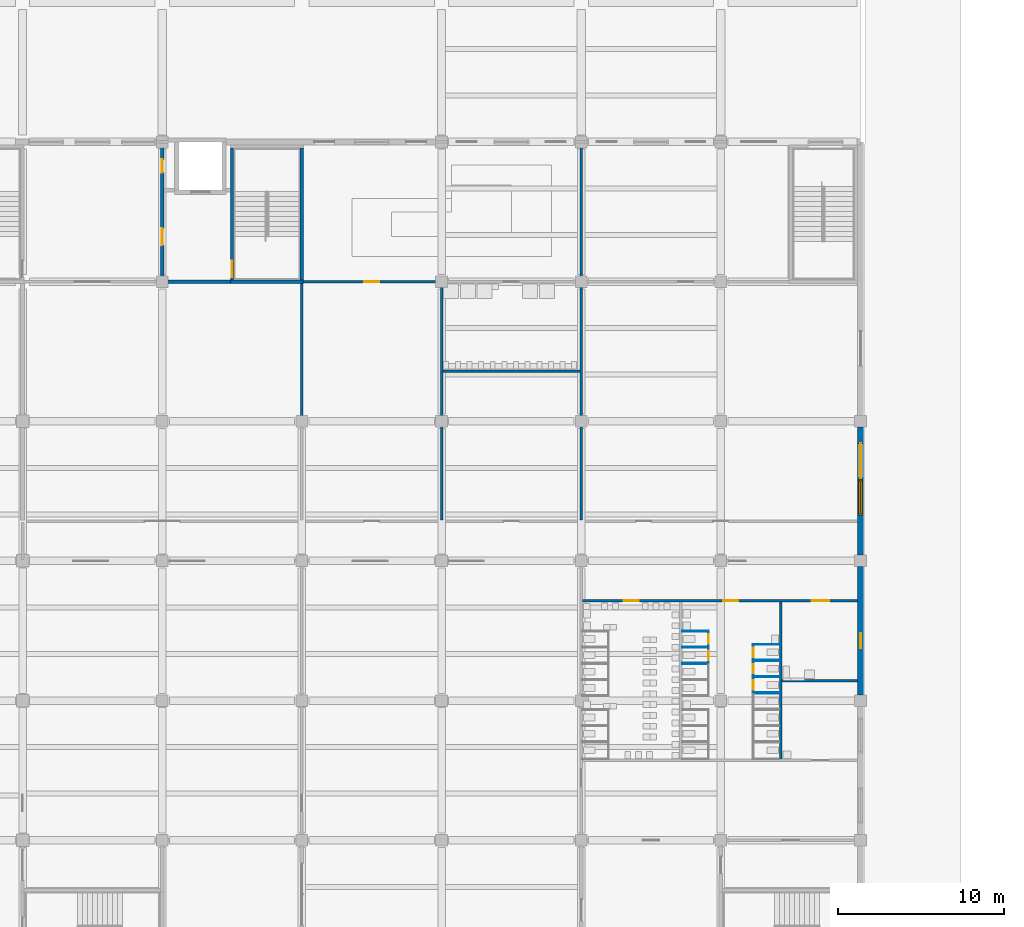
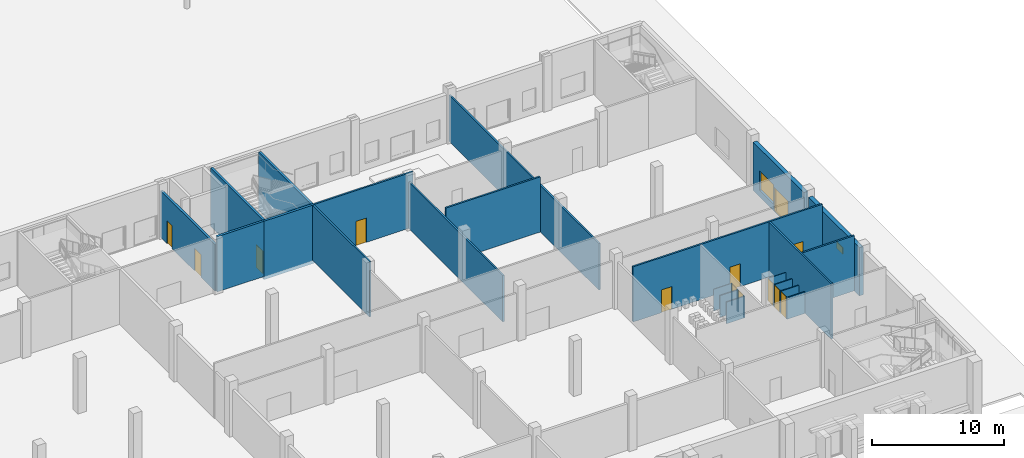
# One storey, part 36 of 74: 32 walls, 13 doors, 2 windows, 15 openings.
"""IFC4 building model written with IfcOpenShell, lengths in metres."""

from ifc_helpers import new_model, si_unit, direction, frame, frame_2d, origin, place, context, subcontext, project, spatial, rectangle, extrude, material, layer, layer_set, type_object, element, fill, save


model = new_model("IFC4")

# Units and contexts
model_context = context("Model", 3, precision=1e-05, world=origin(), true_north=direction((0.0, 1.0)))
body_context = subcontext(model_context, "Body", "Model", "MODEL_VIEW")
ifc_project = project(units=[si_unit("LENGTHUNIT", "METRE"), si_unit("AREAUNIT", "SQUARE_METRE"), si_unit("VOLUMEUNIT", "CUBIC_METRE"), si_unit("PLANEANGLEUNIT", "RADIAN"), si_unit("MASSUNIT", "GRAM", prefix="KILO")], contexts=[model_context])

# Site, building, storey
site_placement = place(None, origin())
site = spatial("IfcSite", under=ifc_project, at=site_placement, CompositionType="ELEMENT")
building_placement = place(site_placement, origin())
building = spatial("IfcBuilding", under=site, at=building_placement, Name="Rulbaag Community and Learning Centre", CompositionType="ELEMENT")
storey_placement = place(building_placement, origin())
storey = spatial("IfcBuildingStorey", under=building, at=storey_placement, Name="L00", CompositionType="ELEMENT", Elevation=0.0)

# Walls
ifc_material_1 = material(Name="High pressure laminate", Category="wood")
ifc_layer_1 = layer(ifc_material_1, 0.0400390625)
ifc_layer_set_1 = layer_set([ifc_layer_1], Name="CP-40")
wall_type_1 = type_object("IfcWallType", Name="CP-40", PredefinedType="PARTITIONING", material=ifc_layer_set_1)
for number, where, z_axis, x_axis, name in (
    (1, (157.27490234375, 19.010009765625, 0.0), (0.0, 0.0, 1.0), (1.0, 0.0, 0.0), "Cubicle partition"),
    (2, (157.27490234375, 19.050048828125, 0.0), (0.0, 0.0, 1.0), (1.0, 0.0, 0.0), "Cubicle partition"),
    (3, (157.27490234375, 19.989990234375, 0.0), (0.0, 0.0, 1.0), (1.0, 0.0, 0.0), "Cubicle partition"),
):
    element("IfcWall", number, at=place(storey_placement, frame(where, z_axis=z_axis, x_axis=x_axis)), inside=storey, type_object=wall_type_1, Name=name, PredefinedType="PARTITIONING", context=body_context, shape_type="SweptSolid", body=[
        extrude(rectangle(XDim=1.59521484375, YDim=0.0400390625, at=frame_2d((0.797607421875, 0.0))), origin(), (0.0, 0.0, 1.0), 2.0),
    ])

# Wall, opening, door
wall_1_placement = place(storey_placement, frame((158.85009765625, 19.070068359375, 0.0), z_axis=(0.0, 0.0, 1.0), x_axis=(0.0, 1.0, 0.0)))
wall_1 = element("IfcWall", 4, at=wall_1_placement, inside=storey, type_object=wall_type_1, Name="Cubicle partition", PredefinedType="PARTITIONING", context=body_context, shape_type="SweptSolid", body=[
    extrude(rectangle(XDim=0.89990234375, YDim=0.0400390625, at=frame_2d((0.449951171875, 0.0))), origin(), (0.0, 0.0, 1.0), 2.0),
])
opening_1_placement = place(wall_1_placement, frame((0.050048828125, 0.0, 0.0)))
opening_1 = element("IfcOpeningElement", 5, at=opening_1_placement, cuts=wall_1, Name="Opening L00-D168", PredefinedType="OPENING", context=body_context, shape_type="SweptSolid", body=[
    extrude(rectangle(XDim=0.800048828125, YDim=2.0, at=frame_2d((0.39990234375, 1.0))), frame((0.0, 0.030029296875, 0.0), z_axis=(0.0, -1.0, 0.0), x_axis=(1.0, 0.0, 0.0)), (0.0, 0.0, 1.0), 0.06005859375),
])
door_type_1 = type_object("IfcDoorType", Name="DC-80", OperationType="SINGLE_SWING_LEFT", PredefinedType="DOOR", material=ifc_material_1)
door_1_placement = place(opening_1_placement, origin())
door_1 = element("IfcDoor", 6, at=door_1_placement, inside=storey, type_object=door_type_1, Name="Cubicle door", OperationType="SINGLE_SWING_LEFT", OverallHeight=2.0, OverallWidth=0.800048828125, PredefinedType="DOOR", context=body_context, shape_type="SweptSolid", body=[
    extrude(rectangle(XDim=0.800048828125, YDim=2.0, at=frame_2d((0.39990234375, 1.0))), frame((0.0, 0.019775390625, 0.0), z_axis=(0.0, -1.0, 0.0), x_axis=(1.0, 0.0, 0.0)), (0.0, 0.0, 1.0), 0.03955078125),
])
fill(opening_1, door_1)

# Walls
for number, where, z_axis, x_axis, name in (
    (7, (157.27490234375, 20.030029296875, 0.0), (0.0, 0.0, 1.0), (1.0, 0.0, 0.0), "Cubicle partition"),
    (8, (157.27490234375, 20.969970703125, 0.0), (0.0, 0.0, 1.0), (1.0, 0.0, 0.0), "Cubicle partition"),
):
    element("IfcWall", number, at=place(storey_placement, frame(where, z_axis=z_axis, x_axis=x_axis)), inside=storey, type_object=wall_type_1, Name=name, PredefinedType="PARTITIONING", context=body_context, shape_type="SweptSolid", body=[
        extrude(rectangle(XDim=1.59521484375, YDim=0.0400390625, at=frame_2d((0.797607421875, 0.0))), origin(), (0.0, 0.0, 1.0), 2.0),
    ])

# Wall, opening, door
wall_2_placement = place(storey_placement, frame((158.85009765625, 20.050048828125, 0.0), z_axis=(0.0, 0.0, 1.0), x_axis=(0.0, 1.0, 0.0)))
wall_2 = element("IfcWall", 9, at=wall_2_placement, inside=storey, type_object=wall_type_1, Name="Cubicle partition", PredefinedType="PARTITIONING", context=body_context, shape_type="SweptSolid", body=[
    extrude(rectangle(XDim=0.89990234375, YDim=0.0400390625, at=frame_2d((0.449951171875, 0.0))), origin(), (0.0, 0.0, 1.0), 2.0),
])
opening_2_placement = place(wall_2_placement, frame((0.050048828125, 0.0, 0.0)))
opening_2 = element("IfcOpeningElement", 10, at=opening_2_placement, cuts=wall_2, Name="Opening L00-D169", PredefinedType="OPENING", context=body_context, shape_type="SweptSolid", body=[
    extrude(rectangle(XDim=0.800048828125, YDim=2.0, at=frame_2d((0.39990234375, 1.0))), frame((0.0, 0.030029296875, 0.0), z_axis=(0.0, -1.0, 0.0), x_axis=(1.0, 0.0, 0.0)), (0.0, 0.0, 1.0), 0.06005859375),
])
door_2_placement = place(opening_2_placement, origin())
door_2 = element("IfcDoor", 11, at=door_2_placement, inside=storey, type_object=door_type_1, Name="Cubicle door", OperationType="SINGLE_SWING_LEFT", OverallHeight=2.0, OverallWidth=0.800048828125, PredefinedType="DOOR", context=body_context, shape_type="SweptSolid", body=[
    extrude(rectangle(XDim=0.800048828125, YDim=2.0, at=frame_2d((0.39990234375, 1.0))), frame((0.0, 0.019775390625, 0.0), z_axis=(0.0, -1.0, 0.0), x_axis=(1.0, 0.0, 0.0)), (0.0, 0.0, 1.0), 0.03955078125),
])
fill(opening_2, door_2)

# Walls
for number, where, z_axis, x_axis, name in (
    (12, (163.125, 17.22998046875, 0.0), (0.0, 0.0, 1.0), (-1.0, 0.0, 0.0), "Cubicle partition"),
    (13, (163.125, 17.27001953125, 0.0), (0.0, 0.0, 1.0), (-1.0, 0.0, 0.0), "Cubicle partition"),
    (14, (163.125, 18.2099609375, 0.0), (0.0, 0.0, 1.0), (-1.0, 0.0, 0.0), "Cubicle partition"),
):
    element("IfcWall", number, at=place(storey_placement, frame(where, z_axis=z_axis, x_axis=x_axis)), inside=storey, type_object=wall_type_1, Name=name, PredefinedType="PARTITIONING", context=body_context, shape_type="SweptSolid", body=[
        extrude(rectangle(XDim=1.594970703125, YDim=0.0400390625, at=frame_2d((0.79736328125, 0.0))), origin(), (0.0, 0.0, 1.0), 2.0),
    ])

# Wall, opening, door
wall_3_placement = place(storey_placement, frame((161.550048828125, 17.2900390625, 0.0), z_axis=(0.0, 0.0, 1.0), x_axis=(0.0, 1.0, 0.0)))
wall_3 = element("IfcWall", 15, at=wall_3_placement, inside=storey, type_object=wall_type_1, Name="Cubicle partition", PredefinedType="PARTITIONING", context=body_context, shape_type="SweptSolid", body=[
    extrude(rectangle(XDim=0.89990234375, YDim=0.0400390625, at=frame_2d((0.449951171875, 0.0))), origin(), (0.0, 0.0, 1.0), 2.0),
])
opening_3_placement = place(wall_3_placement, frame((0.050048828125, 0.0, 0.0)))
opening_3 = element("IfcOpeningElement", 16, at=opening_3_placement, cuts=wall_3, Name="Opening L00-D183", PredefinedType="OPENING", context=body_context, shape_type="SweptSolid", body=[
    extrude(rectangle(XDim=0.800048828125, YDim=2.0, at=frame_2d((0.39990234375, 1.0))), frame((0.0, 0.030029296875, 0.0), z_axis=(0.0, -1.0, 0.0), x_axis=(1.0, 0.0, 0.0)), (0.0, 0.0, 1.0), 0.06005859375),
])
door_3_placement = place(opening_3_placement, origin())
door_3 = element("IfcDoor", 17, at=door_3_placement, inside=storey, type_object=door_type_1, Name="Cubicle door", OperationType="SINGLE_SWING_LEFT", OverallHeight=2.0, OverallWidth=0.800048828125, PredefinedType="DOOR", context=body_context, shape_type="SweptSolid", body=[
    extrude(rectangle(XDim=0.800048828125, YDim=2.0, at=frame_2d((0.39990234375, 1.0))), frame((0.0, 0.019775390625, 0.0), z_axis=(0.0, -1.0, 0.0), x_axis=(1.0, 0.0, 0.0)), (0.0, 0.0, 1.0), 0.03955078125),
])
fill(opening_3, door_3)

# Walls
for number, where, z_axis, x_axis, name in (
    (18, (163.125, 18.25, 0.0), (0.0, 0.0, 1.0), (-1.0, 0.0, 0.0), "Cubicle partition"),
    (19, (163.125, 19.18994140625, 0.0), (0.0, 0.0, 1.0), (-1.0, 0.0, 0.0), "Cubicle partition"),
):
    element("IfcWall", number, at=place(storey_placement, frame(where, z_axis=z_axis, x_axis=x_axis)), inside=storey, type_object=wall_type_1, Name=name, PredefinedType="PARTITIONING", context=body_context, shape_type="SweptSolid", body=[
        extrude(rectangle(XDim=1.594970703125, YDim=0.0400390625, at=frame_2d((0.79736328125, 0.0))), origin(), (0.0, 0.0, 1.0), 2.0),
    ])

# Wall, opening, door
wall_4_placement = place(storey_placement, frame((161.550048828125, 18.27001953125, 0.0), z_axis=(0.0, 0.0, 1.0), x_axis=(0.0, 1.0, 0.0)))
wall_4 = element("IfcWall", 20, at=wall_4_placement, inside=storey, type_object=wall_type_1, Name="Cubicle partition", PredefinedType="PARTITIONING", context=body_context, shape_type="SweptSolid", body=[
    extrude(rectangle(XDim=0.89990234375, YDim=0.0400390625, at=frame_2d((0.449951171875, 0.0))), origin(), (0.0, 0.0, 1.0), 2.0),
])
opening_4_placement = place(wall_4_placement, frame((0.050048828125, 0.0, 0.0)))
opening_4 = element("IfcOpeningElement", 21, at=opening_4_placement, cuts=wall_4, Name="Opening L00-D184", PredefinedType="OPENING", context=body_context, shape_type="SweptSolid", body=[
    extrude(rectangle(XDim=0.800048828125, YDim=2.0, at=frame_2d((0.39990234375, 1.0))), frame((0.0, 0.030029296875, 0.0), z_axis=(0.0, -1.0, 0.0), x_axis=(1.0, 0.0, 0.0)), (0.0, 0.0, 1.0), 0.06005859375),
])
door_4_placement = place(opening_4_placement, origin())
door_4 = element("IfcDoor", 22, at=door_4_placement, inside=storey, type_object=door_type_1, Name="Cubicle door", OperationType="SINGLE_SWING_LEFT", OverallHeight=2.0, OverallWidth=0.800048828125, PredefinedType="DOOR", context=body_context, shape_type="SweptSolid", body=[
    extrude(rectangle(XDim=0.800048828125, YDim=2.0, at=frame_2d((0.39990234375, 1.0))), frame((0.0, 0.019775390625, 0.0), z_axis=(0.0, -1.0, 0.0), x_axis=(1.0, 0.0, 0.0)), (0.0, 0.0, 1.0), 0.03955078125),
])
fill(opening_4, door_4)

# Walls
for number, where, z_axis, x_axis, name in (
    (23, (163.125, 19.22998046875, 0.0), (0.0, 0.0, 1.0), (-1.0, 0.0, 0.0), "Cubicle partition"),
    (24, (163.125, 20.169921875, 0.0), (0.0, 0.0, 1.0), (-1.0, 0.0, 0.0), "Cubicle partition"),
):
    element("IfcWall", number, at=place(storey_placement, frame(where, z_axis=z_axis, x_axis=x_axis)), inside=storey, type_object=wall_type_1, Name=name, PredefinedType="PARTITIONING", context=body_context, shape_type="SweptSolid", body=[
        extrude(rectangle(XDim=1.594970703125, YDim=0.0400390625, at=frame_2d((0.79736328125, 0.0))), origin(), (0.0, 0.0, 1.0), 2.0),
    ])

# Wall, opening, door
wall_5_placement = place(storey_placement, frame((161.550048828125, 19.25, 0.0), z_axis=(0.0, 0.0, 1.0), x_axis=(0.0, 1.0, 0.0)))
wall_5 = element("IfcWall", 25, at=wall_5_placement, inside=storey, type_object=wall_type_1, Name="Cubicle partition", PredefinedType="PARTITIONING", context=body_context, shape_type="SweptSolid", body=[
    extrude(rectangle(XDim=0.89990234375, YDim=0.0400390625, at=frame_2d((0.449951171875, 0.0))), origin(), (0.0, 0.0, 1.0), 2.0),
])
opening_5_placement = place(wall_5_placement, frame((0.050048828125, 0.0, 0.0)))
opening_5 = element("IfcOpeningElement", 26, at=opening_5_placement, cuts=wall_5, Name="Opening L00-D185", PredefinedType="OPENING", context=body_context, shape_type="SweptSolid", body=[
    extrude(rectangle(XDim=0.800048828125, YDim=2.0, at=frame_2d((0.39990234375, 1.0))), frame((0.0, 0.030029296875, 0.0), z_axis=(0.0, -1.0, 0.0), x_axis=(1.0, 0.0, 0.0)), (0.0, 0.0, 1.0), 0.06005859375),
])
door_5_placement = place(opening_5_placement, origin())
door_5 = element("IfcDoor", 27, at=door_5_placement, inside=storey, type_object=door_type_1, Name="Cubicle door", OperationType="SINGLE_SWING_LEFT", OverallHeight=2.0, OverallWidth=0.800048828125, PredefinedType="DOOR", context=body_context, shape_type="SweptSolid", body=[
    extrude(rectangle(XDim=0.800048828125, YDim=2.0, at=frame_2d((0.39990234375, 1.0))), frame((0.0, 0.019775390625, 0.0), z_axis=(0.0, -1.0, 0.0), x_axis=(1.0, 0.0, 0.0)), (0.0, 0.0, 1.0), 0.03955078125),
])
fill(opening_5, door_5)

# Wall, opening, window
ifc_material_2 = material(Name="Concrete M40", Category="concrete")
ifc_layer_2 = layer(ifc_material_2, 0.35009765625)
ifc_layer_set_2 = layer_set([ifc_layer_2], Name="EW-CONC350")
wall_type_2 = type_object("IfcWallType", Name="EW-CONC350", PredefinedType="STANDARD", material=ifc_layer_set_2)
wall_6_placement = place(storey_placement, frame((168.0, 17.14990234375, 0.0), z_axis=(0.0, 0.0, 1.0), x_axis=(0.0, 1.0, 0.0)))
wall_6 = element("IfcWall", 28, at=wall_6_placement, inside=storey, type_object=wall_type_2, Name="Board-marked concrete cladding wall AE", PredefinedType="STANDARD", context=body_context, shape_type="SweptSolid", body=[
    extrude(rectangle(XDim=7.7001953125, YDim=0.35009765625, at=frame_2d((3.85009765625, 0.0))), origin(), (0.0, 0.0, 1.0), 4.449951171875),
])
opening_6_placement = place(wall_6_placement, frame((2.800048828125, 0.0, 2.10009765625)))
opening_6 = element("IfcOpeningElement", 29, at=opening_6_placement, cuts=wall_6, Name="Opening WN5", PredefinedType="OPENING", context=body_context, shape_type="SweptSolid", body=[
    extrude(rectangle(XDim=0.89990234375, YDim=0.60009765625, at=frame_2d((0.449951171875, 0.300048828125))), frame((0.0, 0.18505859375, 0.0), z_axis=(0.0, -1.0, 0.0), x_axis=(1.0, 0.0, 0.0)), (0.0, 0.0, 1.0), 0.3701171875),
])
ifc_material_3 = material(Name="Aluminium", Category="aluminium")
window_type_1 = type_object("IfcWindowType", Name="WK-09", PartitioningType="SINGLE_PANEL", PredefinedType="WINDOW", material=ifc_material_3)
window_1_placement = place(opening_6_placement, origin())
window_1 = element("IfcWindow", 30, at=window_1_placement, inside=storey, type_object=window_type_1, Name="Window WN5", OverallHeight=0.60009765625, OverallWidth=0.89990234375, PartitioningType="SINGLE_PANEL", PredefinedType="WINDOW", context=body_context, shape_type="SweptSolid", body=[
    extrude(rectangle(XDim=0.89990234375, YDim=0.60009765625, at=frame_2d((0.449951171875, 0.300048828125))), frame((0.0, 0.030029296875, 0.0), z_axis=(0.0, -1.0, 0.0), x_axis=(1.0, 0.0, 0.0)), (0.0, 0.0, 1.0), 0.06005859375),
])
fill(opening_6, window_1)

# Wall, openings, door, window
wall_7_placement = place(storey_placement, frame((168.0, 25.550048828125, 0.0), z_axis=(0.0, 0.0, 1.0), x_axis=(0.0, 1.0, 0.0)))
wall_7 = element("IfcWall", 31, at=wall_7_placement, inside=storey, type_object=wall_type_2, Name="Board-marked concrete cladding wall AE", PredefinedType="STANDARD", context=body_context, shape_type="SweptSolid", body=[
    extrude(rectangle(XDim=7.699951171875, YDim=0.35009765625, at=frame_2d((3.85009765625, 0.0))), origin(), (0.0, 0.0, 1.0), 4.449951171875),
])
opening_7_placement = place(wall_7_placement, frame((4.525146484375, 0.0, 0.0), z_axis=(0.0, 0.0, 1.0), x_axis=(-1.0, 0.0, 0.0)))
opening_7 = element("IfcOpeningElement", 32, at=opening_7_placement, cuts=wall_7, Name="Opening L00-D205", PredefinedType="OPENING", context=body_context, shape_type="SweptSolid", body=[
    extrude(rectangle(XDim=2.10009765625, YDim=2.199951171875, at=frame_2d((1.050048828125, 1.10009765625))), frame((0.0, 0.18505859375, 0.0), z_axis=(0.0, -1.0, 0.0), x_axis=(1.0, 0.0, 0.0)), (0.0, 0.0, 1.0), 0.3701171875),
])
opening_8_placement = place(wall_7_placement, frame((4.625, 0.0, 0.60009765625)))
opening_8 = element("IfcOpeningElement", 33, at=opening_8_placement, cuts=wall_7, Name="Opening WN10", PredefinedType="OPENING", context=body_context, shape_type="SweptSolid", body=[
    extrude(rectangle(XDim=2.10009765625, YDim=1.800048828125, at=frame_2d((1.050048828125, 0.89990234375))), frame((0.0, 0.18505859375, 0.0), z_axis=(0.0, -1.0, 0.0), x_axis=(1.0, 0.0, 0.0)), (0.0, 0.0, 1.0), 0.3701171875),
])
door_type_2 = type_object("IfcDoorType", Name="DG-21", OperationType="DOUBLE_DOOR_SINGLE_SWING", PredefinedType="DOOR", material=ifc_material_3)
door_6_placement = place(opening_7_placement, origin())
door_6 = element("IfcDoor", 34, at=door_6_placement, inside=storey, type_object=door_type_2, Name="Final exit G16", OperationType="SINGLE_SWING_LEFT", OverallHeight=2.199951171875, OverallWidth=2.10009765625, PredefinedType="DOOR", context=body_context, shape_type="SweptSolid", body=[
    extrude(rectangle(XDim=2.10009765625, YDim=0.012939453125, at=frame_2d((1.050048828125, 0.006591796875))), frame((0.0, 0.114990234375, 0.0), z_axis=(0.0, -1.0, 0.0), x_axis=(1.0, 0.0, 0.0)), (0.0, 0.0, 1.0), 0.22998046875),
    extrude(rectangle(XDim=0.074951171875, YDim=2.112060546875, at=frame_2d((0.03759765625, 1.069091796875))), frame((0.0, 0.125, 0.0), z_axis=(0.0, -1.0, 0.0), x_axis=(1.0, 0.0, 0.0)), (0.0, 0.0, 1.0), 0.25),
    extrude(rectangle(XDim=0.074951171875, YDim=2.112060546875, at=frame_2d((2.0625, 1.069091796875))), frame((0.0, 0.125, 0.0), z_axis=(0.0, -1.0, 0.0), x_axis=(1.0, 0.0, 0.0)), (0.0, 0.0, 1.0), 0.25),
    extrude(rectangle(XDim=2.10009765625, YDim=0.074951171875, at=frame_2d((1.050048828125, 2.16259765625))), frame((0.0, 0.114990234375, 0.0), z_axis=(0.0, -1.0, 0.0), x_axis=(1.0, 0.0, 0.0)), (0.0, 0.0, 1.0), 0.22998046875),
    extrude(rectangle(XDim=1.9501953125, YDim=0.300048828125, at=frame_2d((1.050048828125, 0.1630859375))), frame((0.0, 0.02001953125, 0.0), z_axis=(0.0, -1.0, 0.0), x_axis=(1.0, 0.0, 0.0)), (0.0, 0.0, 1.0), 0.0400390625),
    extrude(rectangle(XDim=1.9501953125, YDim=0.1201171875, at=frame_2d((1.050048828125, 2.06494140625))), frame((0.0, 0.02001953125, 0.0), z_axis=(0.0, -1.0, 0.0), x_axis=(1.0, 0.0, 0.0)), (0.0, 0.0, 1.0), 0.0400390625),
    extrude(rectangle(XDim=0.090087890625, YDim=1.69189453125, at=frame_2d((0.119873046875, 1.158935546875))), frame((0.0, 0.02490234375, 0.0), z_axis=(0.0, -1.0, 0.0), x_axis=(1.0, 0.0, 0.0)), (0.0, 0.0, 1.0), 0.050048828125),
    extrude(rectangle(XDim=0.179931640625, YDim=1.69189453125, at=frame_2d((1.050048828125, 1.158935546875))), frame((0.0, 0.02490234375, 0.0), z_axis=(0.0, -1.0, 0.0), x_axis=(1.0, 0.0, 0.0)), (0.0, 0.0, 1.0), 0.050048828125),
    extrude(rectangle(XDim=0.090087890625, YDim=1.69189453125, at=frame_2d((1.980224609375, 1.158935546875))), frame((0.0, 0.02490234375, 0.0), z_axis=(0.0, -1.0, 0.0), x_axis=(1.0, 0.0, 0.0)), (0.0, 0.0, 1.0), 0.050048828125),
    extrude(rectangle(XDim=0.795166015625, YDim=1.69189453125, at=frame_2d((0.5625, 1.158935546875))), frame((0.0, 0.011962890625, 0.0), z_axis=(0.0, -1.0, 0.0), x_axis=(1.0, 0.0, 0.0)), (0.0, 0.0, 1.0), 0.02392578125),
    extrude(rectangle(XDim=0.795166015625, YDim=1.69189453125, at=frame_2d((1.53759765625, 1.158935546875))), frame((0.0, 0.011962890625, 0.0), z_axis=(0.0, -1.0, 0.0), x_axis=(1.0, 0.0, 0.0)), (0.0, 0.0, 1.0), 0.02392578125),
])
fill(opening_7, door_6)
window_type_2 = type_object("IfcWindowType", Name="WN-N21", PartitioningType="DOUBLE_PANEL_VERTICAL", PredefinedType="WINDOW", material=ifc_material_3)
window_2_placement = place(opening_8_placement, origin())
window_2 = element("IfcWindow", 35, at=window_2_placement, inside=storey, type_object=window_type_2, Name="Window WN10", OverallHeight=1.800048828125, OverallWidth=2.10009765625, PartitioningType="SINGLE_PANEL", PredefinedType="WINDOW", context=body_context, shape_type="SweptSolid", body=[
    extrude(rectangle(XDim=2.10009765625, YDim=1.800048828125, at=frame_2d((1.050048828125, 0.89990234375))), frame((0.0, 0.030029296875, 0.0), z_axis=(0.0, -1.0, 0.0), x_axis=(1.0, 0.0, 0.0)), (0.0, 0.0, 1.0), 0.06005859375),
])
fill(opening_8, window_2)

# Wall
ifc_material_4 = material(Name="Concrete blockwork", Category="masonry")
ifc_layer_3 = layer(ifc_material_4, 0.199951171875)
ifc_layer_set_3 = layer_set([ifc_layer_3], Name="FW-200 FIRE WALL 200")
wall_type_3 = type_object("IfcWallType", Name="FW-200 FIRE WALL 200", PredefinedType="SOLIDWALL", material=ifc_layer_set_3)
wall_8_placement = place(storey_placement, frame((126.0, 42.0, 0.0), z_axis=(0.0, 0.0, 1.0), x_axis=(1.0, 0.0, 0.0)))
element("IfcWall", 36, at=wall_8_placement, inside=storey, type_object=wall_type_3, Name="Fire wall L00 33", PredefinedType="SOLIDWALL", context=body_context, shape_type="SweptSolid", body=[
    extrude(rectangle(XDim=4.10009765625, YDim=0.199951171875, at=frame_2d((2.050048828125, 0.0))), origin(), (0.0, 0.0, 1.0), 5.10009765625),
])

# Wall, openings, doors
wall_9_placement = place(storey_placement, frame((126.0, 42.10009765625, 0.0), z_axis=(0.0, 0.0, 1.0), x_axis=(0.0, 1.0, 0.0)))
wall_9 = element("IfcWall", 37, at=wall_9_placement, inside=storey, type_object=wall_type_3, Name="Fire wall L00 92", PredefinedType="SOLIDWALL", context=body_context, shape_type="SweptSolid", body=[
    extrude(rectangle(XDim=8.199951171875, YDim=0.199951171875, at=frame_2d((4.10009765625, 0.0))), origin(), (0.0, 0.0, 1.0), 4.300048828125),
])
opening_9_placement = place(wall_9_placement, frame((6.449951171875, 0.0, 0.0)))
opening_9 = element("IfcOpeningElement", 38, at=opening_9_placement, cuts=wall_9, Name="Opening L00-D114", PredefinedType="OPENING", context=body_context, shape_type="SweptSolid", body=[
    extrude(rectangle(XDim=0.800048828125, YDim=2.10009765625, at=frame_2d((0.39990234375, 1.050048828125))), frame((0.0, 0.10986328125, 0.0), z_axis=(0.0, -1.0, 0.0), x_axis=(1.0, 0.0, 0.0)), (0.0, 0.0, 1.0), 0.219970703125),
])
opening_10_placement = place(wall_9_placement, frame((2.10009765625, 0.0, 0.0)))
opening_10 = element("IfcOpeningElement", 39, at=opening_10_placement, cuts=wall_9, Name="Opening L00-D113", PredefinedType="OPENING", context=body_context, shape_type="SweptSolid", body=[
    extrude(rectangle(XDim=1.0, YDim=2.10009765625, at=frame_2d((0.5, 1.050048828125))), frame((0.0, 0.10986328125, 0.0), z_axis=(0.0, -1.0, 0.0), x_axis=(1.0, 0.0, 0.0)), (0.0, 0.0, 1.0), 0.219970703125),
])
ifc_material_5 = material(Name="Galvanised steel", Category="steel")
door_type_3 = type_object("IfcDoorType", Name="FD-1000 FIRE DOOR 1000 x 2100", OperationType="SINGLE_SWING_LEFT", PredefinedType="DOOR", material=ifc_material_5)
door_7_placement = place(opening_10_placement, origin())
door_7 = element("IfcDoor", 40, at=door_7_placement, inside=storey, type_object=door_type_3, Name="Door L00-D113", OperationType="SINGLE_SWING_LEFT", OverallHeight=2.10009765625, OverallWidth=1.0, PredefinedType="DOOR", context=body_context, shape_type="SweptSolid", body=[
    extrude(rectangle(XDim=1.0, YDim=2.10009765625, at=frame_2d((0.5, 1.050048828125))), frame((0.0, 0.02490234375, 0.0), z_axis=(0.0, -1.0, 0.0), x_axis=(1.0, 0.0, 0.0)), (0.0, 0.0, 1.0), 0.050048828125),
])
fill(opening_10, door_7)
door_type_4 = type_object("IfcDoorType", Name="FDR-800 RISER FIRE DOOR 800 x 2100", OperationType="SINGLE_SWING_LEFT", PredefinedType="DOOR", material=ifc_material_5)
door_8_placement = place(opening_9_placement, origin())
door_8 = element("IfcDoor", 41, at=door_8_placement, inside=storey, type_object=door_type_4, Name="Riser door L00-D071", OperationType="SINGLE_SWING_RIGHT", OverallHeight=2.10009765625, OverallWidth=0.800048828125, PredefinedType="DOOR", context=body_context, shape_type="SweptSolid", body=[
    extrude(rectangle(XDim=0.800048828125, YDim=2.10009765625, at=frame_2d((0.39990234375, 1.050048828125))), frame((0.0, 0.02490234375, 0.0), z_axis=(0.0, -1.0, 0.0), x_axis=(1.0, 0.0, 0.0)), (0.0, 0.0, 1.0), 0.050048828125),
])
fill(opening_9, door_8)

# Wall
ifc_layer_4 = layer(ifc_material_4, 0.14990234375)
ifc_layer_set_4 = layer_set([ifc_layer_4], Name="IP-150 PARTITION 150")
wall_type_4 = type_object("IfcWallType", Name="IP-150 PARTITION 150", PredefinedType="PARTITIONING", material=ifc_layer_set_4)
wall_10_placement = place(storey_placement, frame((163.27490234375, 18.0, 0.0), z_axis=(0.0, 0.0, 1.0), x_axis=(1.0, 0.0, 0.0)))
element("IfcWall", 42, at=wall_10_placement, inside=storey, type_object=wall_type_4, Name="Partition L00 14", PredefinedType="PARTITIONING", context=body_context, shape_type="SweptSolid", body=[
    extrude(rectangle(XDim=4.550048828125, YDim=0.14990234375, at=frame_2d((2.27490234375, 0.0))), origin(), (0.0, 0.0, 1.0), 5.10009765625),
])

# Wall, openings, doors
wall_11_placement = place(storey_placement, frame((151.27490234375, 22.800048828125, 0.0), z_axis=(0.0, 0.0, 1.0), x_axis=(1.0, 0.0, 0.0)))
wall_11 = element("IfcWall", 43, at=wall_11_placement, inside=storey, type_object=wall_type_4, Name="Partition L00 17", PredefinedType="PARTITIONING", context=body_context, shape_type="SweptSolid", body=[
    extrude(rectangle(XDim=16.550048828125, YDim=0.14990234375, at=frame_2d((8.27490234375, 0.0))), origin(), (0.0, 0.0, 1.0), 5.10009765625),
])
opening_11_placement = place(wall_11_placement, frame((2.47509765625, 0.0, 0.0)))
opening_11 = element("IfcOpeningElement", 44, at=opening_11_placement, cuts=wall_11, Name="Opening L00-D152", PredefinedType="OPENING", context=body_context, shape_type="SweptSolid", body=[
    extrude(rectangle(XDim=0.89990234375, YDim=2.10009765625, at=frame_2d((0.449951171875, 1.050048828125))), frame((0.0, 0.0849609375, 0.0), z_axis=(0.0, -1.0, 0.0), x_axis=(1.0, 0.0, 0.0)), (0.0, 0.0, 1.0), 0.169921875),
])
opening_12_placement = place(wall_11_placement, frame((8.47509765625, 0.0, 0.0)))
opening_12 = element("IfcOpeningElement", 45, at=opening_12_placement, cuts=wall_11, Name="Opening L00-D172", PredefinedType="OPENING", context=body_context, shape_type="SweptSolid", body=[
    extrude(rectangle(XDim=0.89990234375, YDim=2.10009765625, at=frame_2d((0.449951171875, 1.050048828125))), frame((0.0, 0.0849609375, 0.0), z_axis=(0.0, -1.0, 0.0), x_axis=(1.0, 0.0, 0.0)), (0.0, 0.0, 1.0), 0.169921875),
])
opening_13_placement = place(wall_11_placement, frame((13.800048828125, 0.0, 0.0)))
opening_13 = element("IfcOpeningElement", 46, at=opening_13_placement, cuts=wall_11, Name="Opening L00-D196", PredefinedType="OPENING", context=body_context, shape_type="SweptSolid", body=[
    extrude(rectangle(XDim=1.050048828125, YDim=2.25, at=frame_2d((0.52490234375, 1.125))), frame((0.0, 0.0849609375, 0.0), z_axis=(0.0, -1.0, 0.0), x_axis=(1.0, 0.0, 0.0)), (0.0, 0.0, 1.0), 0.169921875),
])
ifc_material_6 = material(Name="Timber", Category="wood")
door_type_5 = type_object("IfcDoorType", Name="D-1050 ACCESSIBLE TOILET DOOR 1050 x 2250", OperationType="SINGLE_SWING_LEFT", PredefinedType="DOOR", material=ifc_material_6)
door_9_placement = place(opening_13_placement, origin())
door_9 = element("IfcDoor", 47, at=door_9_placement, inside=storey, type_object=door_type_5, Name="Door L00-D196", OperationType="SINGLE_SWING_RIGHT", OverallHeight=2.25, OverallWidth=1.050048828125, PredefinedType="DOOR", context=body_context, shape_type="SweptSolid", body=[
    extrude(rectangle(XDim=1.050048828125, YDim=2.25, at=frame_2d((0.52490234375, 1.125))), frame((0.0, 0.02490234375, 0.0), z_axis=(0.0, -1.0, 0.0), x_axis=(1.0, 0.0, 0.0)), (0.0, 0.0, 1.0), 0.050048828125),
])
fill(opening_13, door_9)
door_type_6 = type_object("IfcDoorType", Name="DW-900 TOILET DOOR 900 x 2100", OperationType="SINGLE_SWING_LEFT", PredefinedType="DOOR", material=ifc_material_6)
door_10_placement = place(opening_11_placement, origin())
door_10 = element("IfcDoor", 48, at=door_10_placement, inside=storey, type_object=door_type_6, Name="Door L00-D152", OperationType="SINGLE_SWING_LEFT", OverallHeight=2.10009765625, OverallWidth=0.89990234375, PredefinedType="DOOR", context=body_context, shape_type="SweptSolid", body=[
    extrude(rectangle(XDim=0.89990234375, YDim=2.10009765625, at=frame_2d((0.449951171875, 1.050048828125))), frame((0.0, 0.02490234375, 0.0), z_axis=(0.0, -1.0, 0.0), x_axis=(1.0, 0.0, 0.0)), (0.0, 0.0, 1.0), 0.050048828125),
])
fill(opening_11, door_10)
door_11_placement = place(opening_12_placement, origin())
door_11 = element("IfcDoor", 49, at=door_11_placement, inside=storey, type_object=door_type_6, Name="Door L00-D172", OperationType="SINGLE_SWING_RIGHT", OverallHeight=2.10009765625, OverallWidth=0.89990234375, PredefinedType="DOOR", context=body_context, shape_type="SweptSolid", body=[
    extrude(rectangle(XDim=0.89990234375, YDim=2.10009765625, at=frame_2d((0.449951171875, 1.050048828125))), frame((0.0, 0.02490234375, 0.0), z_axis=(0.0, -1.0, 0.0), x_axis=(1.0, 0.0, 0.0)), (0.0, 0.0, 1.0), 0.050048828125),
])
fill(opening_12, door_11)

# Wall
wall_12_placement = place(storey_placement, frame((142.875, 36.60009765625, 0.0), z_axis=(0.0, 0.0, 1.0), x_axis=(1.0, 0.0, 0.0)))
element("IfcWall", 50, at=wall_12_placement, inside=storey, type_object=wall_type_4, Name="Partition L00 25", PredefinedType="PARTITIONING", context=body_context, shape_type="SweptSolid", body=[
    extrude(rectangle(XDim=8.25, YDim=0.14990234375, at=frame_2d((4.125, 0.0))), origin(), (0.0, 0.0, 1.0), 5.10009765625),
])

# Wall, opening, door
wall_13_placement = place(storey_placement, frame((134.5, 42.0, 0.0), z_axis=(0.0, 0.0, 1.0), x_axis=(1.0, 0.0, 0.0)))
wall_13 = element("IfcWall", 51, at=wall_13_placement, inside=storey, type_object=wall_type_4, Name="Partition L00 34", PredefinedType="PARTITIONING", context=body_context, shape_type="SweptSolid", body=[
    extrude(rectangle(XDim=8.6298828125, YDim=0.14990234375, at=frame_2d((4.31494140625, 0.0))), origin(), (0.0, 0.0, 1.0), 5.10009765625),
])
opening_14_placement = place(wall_13_placement, frame((3.64990234375, 0.0, 0.0)))
opening_14 = element("IfcOpeningElement", 52, at=opening_14_placement, cuts=wall_13, Name="Opening L00-D124", PredefinedType="OPENING", context=body_context, shape_type="SweptSolid", body=[
    extrude(rectangle(XDim=0.89990234375, YDim=2.25, at=frame_2d((0.449951171875, 1.125))), frame((0.0, 0.0849609375, 0.0), z_axis=(0.0, -1.0, 0.0), x_axis=(1.0, 0.0, 0.0)), (0.0, 0.0, 1.0), 0.169921875),
])
door_type_7 = type_object("IfcDoorType", Name="D-900 NURSERY GLAZED DOOR 900 x 2250", OperationType="SINGLE_SWING_LEFT", PredefinedType="DOOR", material=ifc_material_6)
door_12_placement = place(opening_14_placement, origin())
door_12 = element("IfcDoor", 53, at=door_12_placement, inside=storey, type_object=door_type_7, Name="Door L00-D124", OperationType="SINGLE_SWING_LEFT", OverallHeight=2.25, OverallWidth=0.89990234375, PredefinedType="DOOR", context=body_context, shape_type="SweptSolid", body=[
    extrude(rectangle(XDim=0.89990234375, YDim=2.25, at=frame_2d((0.449951171875, 1.125))), frame((0.0, 0.02490234375, 0.0), z_axis=(0.0, -1.0, 0.0), x_axis=(1.0, 0.0, 0.0)), (0.0, 0.0, 1.0), 0.050048828125),
])
fill(opening_14, door_12)

# Walls
wall_14_placement = place(storey_placement, frame((134.39990234375, 33.27001953125, 0.0), z_axis=(0.0, 0.0, 1.0), x_axis=(0.0, 1.0, 0.0)))
element("IfcWall", 54, at=wall_14_placement, inside=storey, type_object=wall_type_4, Name="Partition L00 96.2", PredefinedType="PARTITIONING", context=body_context, shape_type="SweptSolid", body=[
    extrude(rectangle(XDim=8.830078125, YDim=0.14990234375, at=frame_2d((4.4150390625, 0.0))), origin(), (0.0, 0.0, 1.0), 5.10009765625),
])
wall_15_placement = place(storey_placement, frame((142.800048828125, 27.675048828125, 0.0), z_axis=(0.0, 0.0, 1.0), x_axis=(0.0, 1.0, 0.0)))
element("IfcWall", 55, at=wall_15_placement, inside=storey, type_object=wall_type_4, Name="Partition L00 98", PredefinedType="PARTITIONING", context=body_context, shape_type="SweptSolid", body=[
    extrude(rectangle(XDim=14.25, YDim=0.14990234375, at=frame_2d((7.125, 0.0))), origin(), (0.0, 0.0, 1.0), 4.300048828125),
])
wall_16_placement = place(storey_placement, frame((151.199951171875, 27.675048828125, 0.0), z_axis=(0.0, 0.0, 1.0), x_axis=(0.0, 1.0, 0.0)))
element("IfcWall", 56, at=wall_16_placement, inside=storey, type_object=wall_type_4, Name="Partition L00 104", PredefinedType="PARTITIONING", context=body_context, shape_type="SweptSolid", body=[
    extrude(rectangle(XDim=22.64990234375, YDim=0.14990234375, at=frame_2d((11.324951171875, 0.0))), origin(), (0.0, 0.0, 1.0), 4.300048828125),
])
wall_17_placement = place(storey_placement, frame((163.199951171875, 13.27490234375, 0.0), z_axis=(0.0, 0.0, 1.0), x_axis=(0.0, 1.0, 0.0)))
element("IfcWall", 57, at=wall_17_placement, inside=storey, type_object=wall_type_4, Name="Partition L00 112", PredefinedType="PARTITIONING", context=body_context, shape_type="SweptSolid", body=[
    extrude(rectangle(XDim=9.4501953125, YDim=0.14990234375, at=frame_2d((4.72509765625, 0.0))), origin(), (0.0, 0.0, 1.0), 5.10009765625),
])
ifc_layer_5 = layer(ifc_material_2, 0.199951171875)
ifc_layer_set_5 = layer_set([ifc_layer_5], Name="WSE Stair enclosure wall 200 Concrete M40")
wall_type_5 = type_object("IfcWallType", Name="WSE Stair enclosure wall 200 Concrete M40", PredefinedType="SHEAR", material=ifc_layer_set_5)
wall_18_placement = place(storey_placement, frame((130.10009765625, 42.0, -0.300048828125), z_axis=(0.0, 0.0, 1.0), x_axis=(1.0, 0.0, 0.0)))
element("IfcWall", 58, at=wall_18_placement, inside=storey, type_object=wall_type_5, Name="Stair enclosure wall SH3 S L00", PredefinedType="SHEAR", context=body_context, shape_type="SweptSolid", body=[
    extrude(rectangle(XDim=4.39990234375, YDim=0.199951171875, at=frame_2d((2.199951171875, 0.0))), origin(), (0.0, 0.0, 1.0), 5.400146484375),
])

# Wall, opening, door
wall_19_placement = place(storey_placement, frame((130.199951171875, 42.10009765625, -0.300048828125), z_axis=(0.0, 0.0, 1.0), x_axis=(0.0, 1.0, 0.0)))
wall_19 = element("IfcWall", 59, at=wall_19_placement, inside=storey, type_object=wall_type_5, Name="Stair enclosure wall SH3 W L00", PredefinedType="SHEAR", context=body_context, shape_type="SweptSolid", body=[
    extrude(rectangle(XDim=7.9248046875, YDim=0.199951171875, at=frame_2d((3.96240234375, 0.0))), origin(), (0.0, 0.0, 1.0), 5.400146484375),
])
opening_15_placement = place(wall_19_placement, frame((0.14990234375, 0.0, 0.300048828125)))
opening_15 = element("IfcOpeningElement", 60, at=opening_15_placement, cuts=wall_19, Name="Opening L00-D117", PredefinedType="OPENING", context=body_context, shape_type="SweptSolid", body=[
    extrude(rectangle(XDim=1.0, YDim=2.10009765625, at=frame_2d((0.5, 1.050048828125))), frame((0.0, 0.10986328125, 0.0), z_axis=(0.0, -1.0, 0.0), x_axis=(1.0, 0.0, 0.0)), (0.0, 0.0, 1.0), 0.219970703125),
])
door_13_placement = place(opening_15_placement, origin())
door_13 = element("IfcDoor", 61, at=door_13_placement, inside=storey, type_object=door_type_3, Name="Door L00-D117", OperationType="SINGLE_SWING_LEFT", OverallHeight=2.10009765625, OverallWidth=1.0, PredefinedType="DOOR", context=body_context, shape_type="SweptSolid", body=[
    extrude(rectangle(XDim=1.0, YDim=2.10009765625, at=frame_2d((0.5, 1.050048828125))), frame((0.0, 0.02490234375, 0.0), z_axis=(0.0, -1.0, 0.0), x_axis=(1.0, 0.0, 0.0)), (0.0, 0.0, 1.0), 0.050048828125),
])
fill(opening_15, door_13)

# Wall
wall_20_placement = place(storey_placement, frame((134.39990234375, 42.10009765625, -0.300048828125), z_axis=(0.0, 0.0, 1.0), x_axis=(0.0, 1.0, 0.0)))
element("IfcWall", 62, at=wall_20_placement, inside=storey, type_object=wall_type_5, Name="Stair enclosure wall SH3 E L00", PredefinedType="SHEAR", context=body_context, shape_type="SweptSolid", body=[
    extrude(rectangle(XDim=7.9248046875, YDim=0.199951171875, at=frame_2d((3.96240234375, 0.0))), origin(), (0.0, 0.0, 1.0), 5.400146484375),
])

save(model, "model.ifc")
